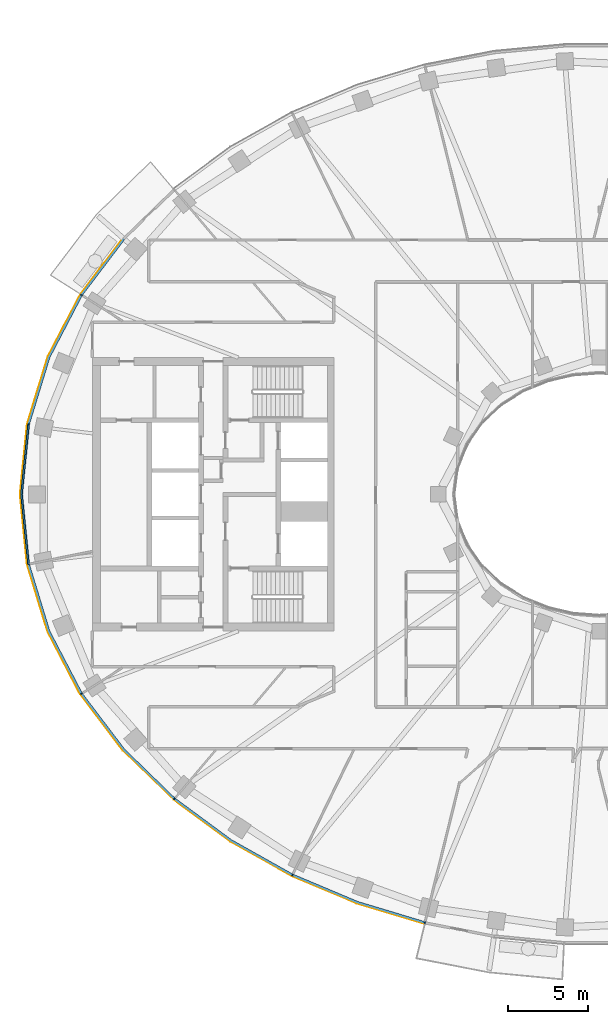
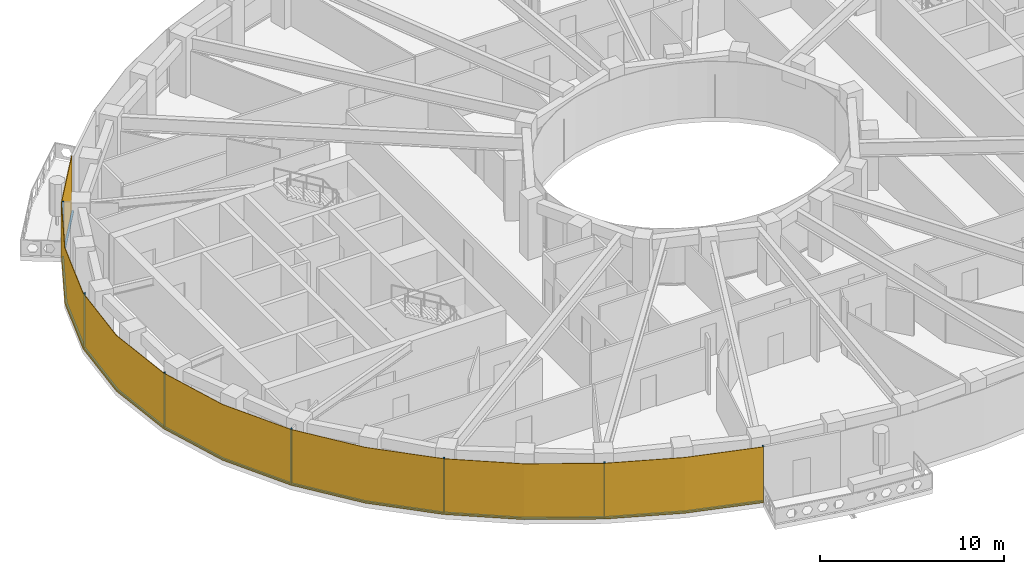
# One storey, part 8 of 16: 14 members, 1 curtain wall.
"""IFC4 building model written with IfcOpenShell, lengths in metres."""

from ifc_helpers import new_model, si_unit, direction, frame, origin, origin_2d, place, context, subcontext, project, spatial, polyline, rectangle, outline, extrude, material, layer, layer_set, material_profile, profile_set, type_object, element, aggregate, save


model = new_model("IFC4")

# Units and contexts
model_context = context("Model", 3, precision=1e-05, world=origin(), true_north=direction((0.0, 1.0)))
body_context = subcontext(model_context, "Body", "Model", "MODEL_VIEW")
ifc_project = project(units=[si_unit("LENGTHUNIT", "METRE"), si_unit("AREAUNIT", "SQUARE_METRE"), si_unit("VOLUMEUNIT", "CUBIC_METRE"), si_unit("PLANEANGLEUNIT", "RADIAN"), si_unit("MASSUNIT", "GRAM", prefix="KILO")], contexts=[model_context])

# Member
ifc_material_1 = material(Name="Aluminium 6063-T6 black anodised", Category="aluminium")
ifc_material_profile = material_profile(ifc_material_1, rectangle(XDim=0.1201171875, YDim=0.06005859375, at=origin_2d()), Name="120x60")
ifc_profile_set = profile_set([ifc_material_profile], Name="Aluminium 6063-T6 black anodised")
member_type_1 = type_object("IfcMemberType", Name="ENV-MULLION-A-120", PredefinedType="MULLION", material=ifc_profile_set)
site_placement = place(None, origin())
building_placement = place(site_placement, origin())
storey_placement = place(building_placement, frame((0.0, 0.0, 273.5)))
member_1_placement = place(storey_placement, frame((-32.177490234375, 12.385498046875, 0.0), z_axis=(0.0, 0.0, 1.0), x_axis=(0.844829880882, -0.53503501976, 0.0)))
member_1 = element("IfcMember", 1, at=member_1_placement, type_object=member_type_1, Name="Mullion A radial 21", PredefinedType="MULLION", context=body_context, shape_type="SweptSolid", body=[
    extrude(rectangle(XDim=0.1201171875, YDim=0.06005859375, at=origin_2d()), origin(), (0.0, 0.0, 1.0), 3.699951171875),
])

member_2_placement = place(storey_placement, frame((-35.470947265625, 4.340576171875, 0.0), z_axis=(0.0, 0.0, 1.0), x_axis=(0.980379083141, -0.19712141776, 0.0)))
member_2 = element("IfcMember", 2, at=member_2_placement, type_object=member_type_1, Name="Mullion A radial 23", PredefinedType="MULLION", context=body_context, shape_type="SweptSolid", body=[
    extrude(rectangle(XDim=0.1201171875, YDim=0.06005859375, at=origin_2d()), origin(), (0.0, 0.0, 1.0), 3.699951171875),
])

member_3_placement = place(storey_placement, frame((-35.470947265625, -4.340576171875, 0.0), z_axis=(0.0, 0.0, 1.0), x_axis=(0.980379083141, 0.19712141776, 0.0)))
member_3 = element("IfcMember", 3, at=member_3_placement, type_object=member_type_1, Name="Mullion A radial 25", PredefinedType="MULLION", context=body_context, shape_type="SweptSolid", body=[
    extrude(rectangle(XDim=0.1201171875, YDim=0.06005859375, at=origin_2d()), origin(), (0.0, 0.0, 1.0), 3.699951171875),
])

member_4_placement = place(storey_placement, frame((-32.177490234375, -12.385498046875, 0.0), z_axis=(0.0, 0.0, 1.0), x_axis=(0.844829880882, 0.53503501976, 0.0)))
member_4 = element("IfcMember", 4, at=member_4_placement, type_object=member_type_1, Name="Mullion A radial 27", PredefinedType="MULLION", context=body_context, shape_type="SweptSolid", body=[
    extrude(rectangle(XDim=0.1201171875, YDim=0.06005859375, at=origin_2d()), origin(), (0.0, 0.0, 1.0), 3.699951171875),
])

member_5_placement = place(storey_placement, frame((-26.403564453125, -18.9130859375, 0.0), z_axis=(0.0, 0.0, 1.0), x_axis=(0.646451313783, 0.762955240435, 0.0)))
member_5 = element("IfcMember", 5, at=member_5_placement, type_object=member_type_1, Name="Mullion A radial 29", PredefinedType="MULLION", context=body_context, shape_type="SweptSolid", body=[
    extrude(rectangle(XDim=0.1201171875, YDim=0.06005859375, at=origin_2d()), origin(), (0.0, 0.0, 1.0), 3.699951171875),
])

member_6_placement = place(storey_placement, frame((-19.06787109375, -23.6474609375, 0.0), z_axis=(0.0, 0.0, 1.0), x_axis=(0.439237769837, 0.898370848563, 0.0)))
member_6 = element("IfcMember", 6, at=member_6_placement, type_object=member_type_1, Name="Mullion A radial 31", PredefinedType="MULLION", context=body_context, shape_type="SweptSolid", body=[
    extrude(rectangle(XDim=0.1201171875, YDim=0.06005859375, at=origin_2d()), origin(), (0.0, 0.0, 1.0), 3.699951171875),
])

member_7_placement = place(storey_placement, frame((-10.84326171875, -26.60498046875, 0.0), z_axis=(0.0, 0.0, 1.0), x_axis=(0.239799081534, 0.970822538106, 0.0)))
member_7 = element("IfcMember", 7, at=member_7_placement, type_object=member_type_1, Name="Mullion A radial 33", PredefinedType="MULLION", context=body_context, shape_type="SweptSolid", body=[
    extrude(rectangle(XDim=0.1201171875, YDim=0.06005859375, at=origin_2d()), origin(), (0.0, 0.0, 1.0), 3.699951171875),
])

ifc_material_2 = material(Name="Aluminium 6063-T6 black anodised", Category="aluminium")
member_type_2 = type_object("IfcMemberType", Name="ENV-TRANSOM-A", PredefinedType="USERDEFINED", material=ifc_material_2)
member_8_placement = place(storey_placement, origin())
member_8 = element("IfcMember", 8, at=member_8_placement, type_object=member_type_2, Name="Transom A radial 20-21", ObjectType="TRANSOM", PredefinedType="USERDEFINED", context=body_context, shape_type="SweptSolid", body=[
    extrude(outline(polyline([(-29.595703125, 15.890869140625), (-32.211181640625, 12.43994140625), (-32.109375, 12.37548828125), (-29.505615234375, 15.811279296875), (-29.595703125, 15.890869140625)])), origin(), (0.0, 0.0, 1.0), 0.10009765625),
])

member_9_placement = place(storey_placement, origin())
member_9 = element("IfcMember", 9, at=member_9_placement, type_object=member_type_2, Name="Transom A radial 21-23", ObjectType="TRANSOM", PredefinedType="USERDEFINED", context=body_context, shape_type="SweptSolid", body=[
    extrude(outline(polyline([(-32.240966796875, 12.392578125), (-34.251220703125, 8.53662109375), (-35.521484375, 4.379150390625), (-35.4033203125, 4.355224609375), (-34.139892578125, 8.490966796875), (-32.139404296875, 12.328369140625), (-32.240966796875, 12.392578125)])), origin(), (0.0, 0.0, 1.0), 0.10009765625),
])

member_10_placement = place(storey_placement, origin())
member_10 = element("IfcMember", 10, at=member_10_placement, type_object=member_type_2, Name="Transom A radial 23-25", ObjectType="TRANSOM", PredefinedType="USERDEFINED", context=body_context, shape_type="SweptSolid", body=[
    extrude(outline(polyline([(-35.532470703125, 4.324462890625), (-35.9677734375, 0.0), (-35.532470703125, -4.324462890625), (-35.414306640625, -4.30078125), (-35.84716796875, 0.0), (-35.414306640625, 4.30078125), (-35.532470703125, 4.324462890625)])), origin(), (0.0, 0.0, 1.0), 0.10009765625),
])

member_11_placement = place(storey_placement, origin())
member_11 = element("IfcMember", 11, at=member_11_placement, type_object=member_type_2, Name="Transom A radial 25-27", ObjectType="TRANSOM", PredefinedType="USERDEFINED", context=body_context, shape_type="SweptSolid", body=[
    extrude(outline(polyline([(-35.521484375, -4.379150390625), (-34.251220703125, -8.53662109375), (-32.240966796875, -12.392578125), (-32.139404296875, -12.328369140625), (-34.139892578125, -8.490966796875), (-35.4033203125, -4.355224609375), (-35.521484375, -4.379150390625)])), origin(), (0.0, 0.0, 1.0), 0.10009765625),
])

member_12_placement = place(storey_placement, origin())
member_12 = element("IfcMember", 12, at=member_12_placement, type_object=member_type_2, Name="Transom A radial 27-29", ObjectType="TRANSOM", PredefinedType="USERDEFINED", context=body_context, shape_type="SweptSolid", body=[
    extrude(outline(polyline([(-32.211181640625, -12.43994140625), (-29.58349609375, -15.906982421875), (-26.46240234375, -18.939208984375), (-26.384765625, -18.847412109375), (-29.493408203125, -15.8271484375), (-32.109375, -12.37548828125), (-32.211181640625, -12.43994140625)])), origin(), (0.0, 0.0, 1.0), 0.10009765625),
])

member_13_placement = place(storey_placement, origin())
member_13 = element("IfcMember", 13, at=member_13_placement, type_object=member_type_2, Name="Transom A radial 29-31", ObjectType="TRANSOM", PredefinedType="USERDEFINED", context=body_context, shape_type="SweptSolid", body=[
    extrude(outline(polyline([(-26.419921875, -18.975341796875), (-22.9150390625, -21.556884765625), (-19.11865234375, -23.687744140625), (-19.06591796875, -23.57958984375), (-22.85009765625, -21.455810546875), (-26.342041015625, -18.883544921875), (-26.419921875, -18.975341796875)])), origin(), (0.0, 0.0, 1.0), 0.10009765625),
])

member_14_placement = place(storey_placement, origin())
member_14 = element("IfcMember", 14, at=member_14_placement, type_object=member_type_2, Name="Transom A radial 31-33", ObjectType="TRANSOM", PredefinedType="USERDEFINED", context=body_context, shape_type="SweptSolid", body=[
    extrude(outline(polyline([(-19.068359375, -23.71240234375), (-15.054443359375, -25.400146484375), (-10.884521484375, -26.655029296875), (-10.855712890625, -26.53857421875), (-15.013916015625, -25.287109375), (-19.015380859375, -23.604248046875), (-19.068359375, -23.71240234375)])), origin(), (0.0, 0.0, 1.0), 0.10009765625),
])

# Site, building, storey
site = spatial("IfcSite", under=ifc_project, at=site_placement, CompositionType="ELEMENT")
building = spatial("IfcBuilding", under=site, at=building_placement, Name="Noorbagh Ring Tower", CompositionType="ELEMENT")
storey = spatial("IfcBuildingStorey", under=building, at=storey_placement, Name="L58", CompositionType="ELEMENT", Elevation=273.5)

# Curtain wall
ifc_material_3 = material(Name="Glass dark tinted laminated", Category="glass")
ifc_layer = layer(ifc_material_3, 0.031982421875)
ifc_layer_set = layer_set([ifc_layer], Name="Glass dark tinted laminated")
curtain_wall_type = type_object("IfcCurtainWallType", Name="ENV-CW-A", PredefinedType="NOTDEFINED", material=ifc_layer_set)
curtain_wall_placement = place(storey_placement, origin())
curtain_wall = element("IfcCurtainWall", 15, at=curtain_wall_placement, inside=storey, type_object=curtain_wall_type, Name="Curtain wall A R20", PredefinedType="NOTDEFINED", context=body_context, shape_type="SweptSolid", body=[
    extrude(outline(polyline([(-29.61962890625, 15.912109375), (-32.255126953125, 12.434814453125), (-34.281005859375, 8.548828125), (-35.561279296875, 4.358642578125), (-36.0, 0.0), (-35.561279296875, -4.358642578125), (-34.281005859375, -8.548828125), (-32.255126953125, -12.434814453125), (-29.607666015625, -15.927978515625), (-26.463134765625, -18.9833984375), (-22.9326171875, -21.583740234375), (-19.108154296875, -23.730224609375), (-15.065185546875, -25.430419921875), (-10.884521484375, -26.6884765625), (-10.876708984375, -26.657470703125), (-15.054443359375, -25.400146484375), (-19.093994140625, -23.701416015625), (-22.9150390625, -21.556884765625), (-26.4423828125, -18.958740234375), (-29.58349609375, -15.906982421875), (-32.22802734375, -12.41748046875), (-34.251220703125, -8.53662109375), (-35.529541015625, -4.352294921875), (-35.9677734375, 0.0), (-35.529541015625, 4.352294921875), (-34.251220703125, 8.53662109375), (-32.22802734375, 12.41748046875), (-29.595703125, 15.890869140625), (-29.61962890625, 15.912109375)])), origin(), (0.0, 0.0, 1.0), 3.699951171875),
])

aggregate(curtain_wall, [member_1, member_2, member_3, member_4, member_5, member_6, member_7, member_8, member_9, member_10, member_11, member_12, member_13, member_14])

save(model, "model.ifc")
